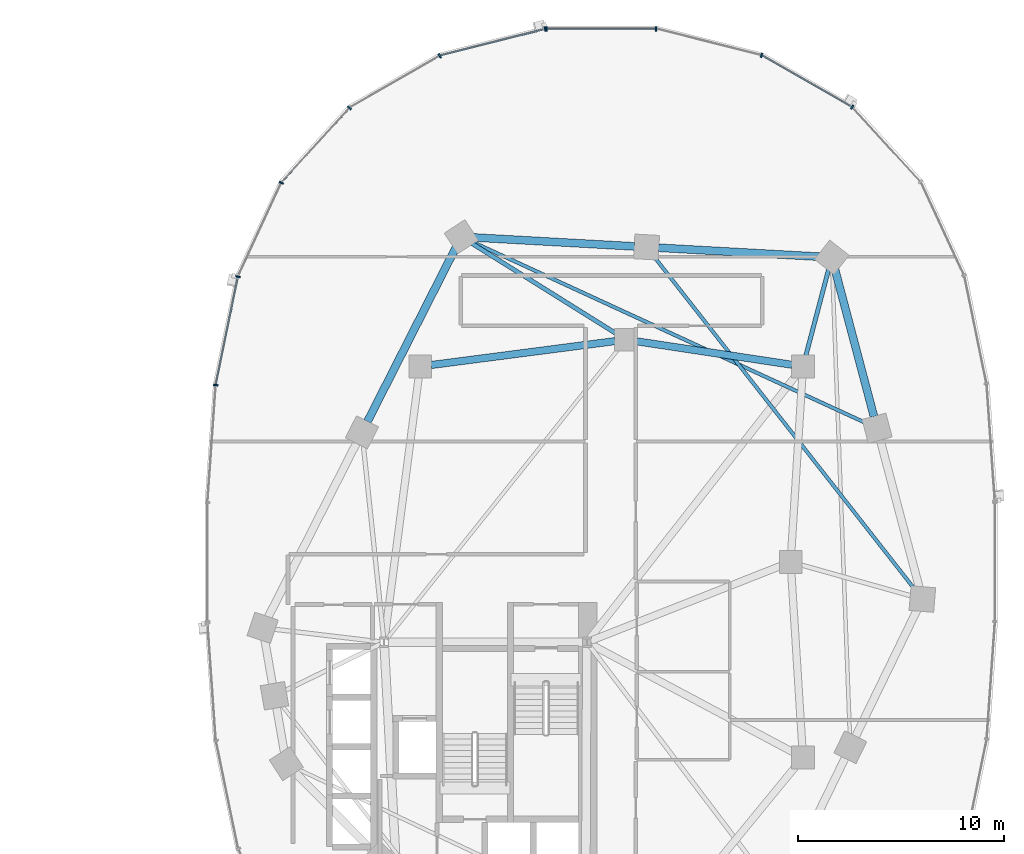
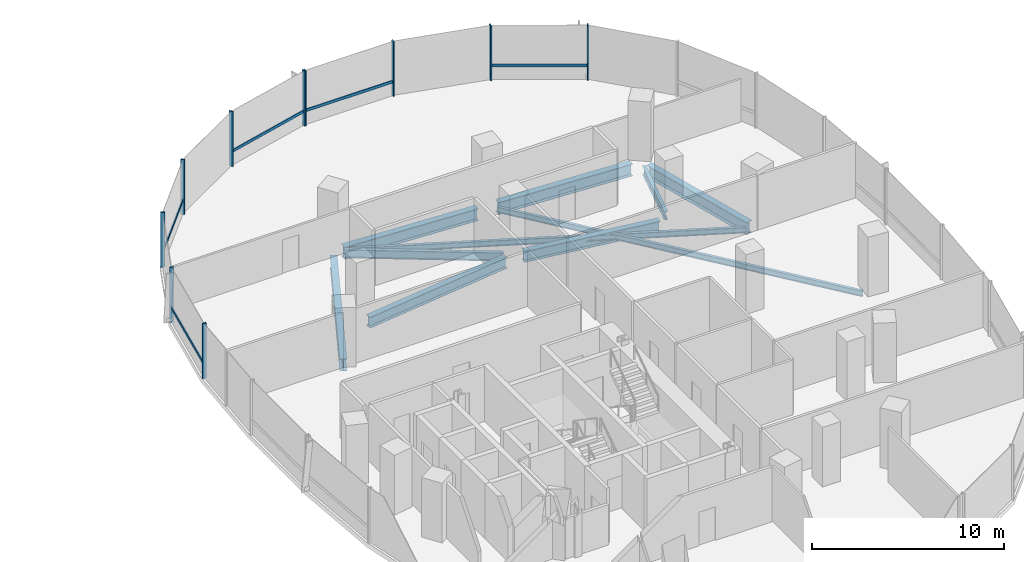
# One storey, part 7 of 21: 15 members, 10 beams, 2 elements without a shape of their own.
"""IFC4 building model written with IfcOpenShell, lengths in metres."""

from ifc_helpers import new_model, si_unit, direction, frame, origin, origin_2d, place, context, subcontext, project, spatial, rectangle, i_section, extrude, material, material_profile, profile_set, type_object, element, aggregate, save


model = new_model("IFC4")

# Units and contexts
model_context = context("Model", 3, precision=1e-05, world=origin(), true_north=direction((0.0, 1.0)))
body_context = subcontext(model_context, "Body", "Model", "MODEL_VIEW")
ifc_project = project(units=[si_unit("LENGTHUNIT", "METRE"), si_unit("AREAUNIT", "SQUARE_METRE"), si_unit("VOLUMEUNIT", "CUBIC_METRE"), si_unit("PLANEANGLEUNIT", "RADIAN"), si_unit("MASSUNIT", "GRAM", prefix="KILO"), si_unit("THERMODYNAMICTEMPERATUREUNIT", "KELVIN"), si_unit("POWERUNIT", "WATT")], contexts=[model_context])

# Site, building, storey
site_placement = place(None, origin())
site = spatial("IfcSite", under=ifc_project, at=site_placement, CompositionType="ELEMENT")
building_placement = place(site_placement, origin())
building = spatial("IfcBuilding", under=site, at=building_placement, Name="Cundina Bronze Exchange", CompositionType="ELEMENT")
storey_placement = place(building_placement, frame((0.0, 0.0, 62.0)))
storey = spatial("IfcBuildingStorey", under=building, at=storey_placement, Name="L15", CompositionType="ELEMENT", Elevation=62.0)

# Beams
ifc_material_1 = material(Name="Steel ASTM A992 Grade 50", Category="steel")
ifc_material_profile_1 = material_profile(ifc_material_1, i_section(OverallWidth=0.2099609375, OverallDepth=0.532958984375, WebThickness=0.01025390625, FlangeThickness=0.015625, FilletRadius=0.013916015625, at=origin_2d()), Name="W21X62", Category="steel")
ifc_profile_set_1 = profile_set([ifc_material_profile_1], Name="Steel ASTM A992 Grade 50")
beam_type_1 = type_object("IfcBeamType", Name="BM-FLR-W21B", PredefinedType="BEAM", material=ifc_profile_set_1)
beam_1_placement = place(storey_placement, frame((41.9375, 10.020263671875, -0.56640625), z_axis=(0.255373327887, 0.966842522546, 0.0), x_axis=(-0.966842522546, 0.255373327887, 0.0)))
element("IfcBeam", 1, at=beam_1_placement, inside=storey, type_object=beam_type_1, Name="L15 Leg E Chordal Floor Beam 10", PredefinedType="BEAM", context=body_context, shape_type="SweptSolid", body=[
    extrude(i_section(OverallWidth=0.2099609375, OverallDepth=0.532958984375, WebThickness=0.01025390625, FlangeThickness=0.015625, FilletRadius=0.013916015625, at=origin_2d()), origin(), (0.0, 0.0, 1.0), 4.355712890625),
])
beam_2_placement = place(storey_placement, frame((32.743896484375, 11.085205078125, -0.56640625), z_axis=(-0.848014812458, 0.529972525563, 0.0), x_axis=(-0.529972525563, -0.848014812458, 0.0)))
element("IfcBeam", 2, at=beam_2_placement, inside=storey, type_object=beam_type_1, Name="L15 Leg E Chordal Floor Beam 12", PredefinedType="BEAM", context=body_context, shape_type="SweptSolid", body=[
    extrude(i_section(OverallWidth=0.2099609375, OverallDepth=0.532958984375, WebThickness=0.01025390625, FlangeThickness=0.015625, FilletRadius=0.013916015625, at=origin_2d()), origin(), (0.0, 0.0, 1.0), 8.30810546875),
])
ifc_material_profile_2 = material_profile(ifc_material_1, i_section(OverallWidth=0.172119140625, OverallDepth=0.35791015625, WebThickness=0.0078125, FlangeThickness=0.01318359375, FilletRadius=0.010009765625, at=origin_2d()), Name="W14X38", Category="steel")
ifc_profile_set_2 = profile_set([ifc_material_profile_2], Name="Steel ASTM A992 Grade 50")
beam_type_2 = type_object("IfcBeamType", Name="BM-JST-W14", PredefinedType="JOIST", material=ifc_profile_set_2)
beam_3_placement = place(storey_placement, frame((47.2373046875, -1.337158203125, -0.47900390625), z_axis=(-0.616803089524, 0.787117493614, 0.0), x_axis=(-0.787117493614, -0.616803089524, 0.0)))
element("IfcBeam", 3, at=beam_3_placement, inside=storey, type_object=beam_type_2, Name="L15 Leg E Lobe Floor Joist 08-11", PredefinedType="JOIST", context=body_context, shape_type="SweptSolid", body=[
    extrude(i_section(OverallWidth=0.172119140625, OverallDepth=0.35791015625, WebThickness=0.0078125, FlangeThickness=0.01318359375, FilletRadius=0.010009765625, at=origin_2d()), origin(), (0.0, 0.0, 1.0), 20.548828125),
])
beam_4_placement = place(storey_placement, frame((44.865966796875, 6.745849609375, -0.47900390625), z_axis=(-0.908351511887, 0.418207521277, 0.0), x_axis=(-0.418207521277, -0.908351511887, 0.0)))
element("IfcBeam", 4, at=beam_4_placement, inside=storey, type_object=beam_type_2, Name="L15 Leg E Lobe Floor Joist 09-12", PredefinedType="JOIST", context=body_context, shape_type="SweptSolid", body=[
    extrude(i_section(OverallWidth=0.172119140625, OverallDepth=0.35791015625, WebThickness=0.0078125, FlangeThickness=0.01318359375, FilletRadius=0.010009765625, at=origin_2d()), origin(), (0.0, 0.0, 1.0), 21.062255859375),
])
ifc_material_profile_3 = material_profile(ifc_material_1, i_section(OverallWidth=0.35498046875, OverallDepth=0.695068359375, WebThickness=0.015380859375, FlangeThickness=0.02490234375, FilletRadius=0.01806640625, at=origin_2d()), Name="W27X146", Category="steel")
ifc_profile_set_3 = profile_set([ifc_material_profile_3], Name="Steel ASTM A992 Grade 50")
beam_type_3 = type_object("IfcBeamType", Name="BM-RING-W27", PredefinedType="USERDEFINED", material=ifc_profile_set_3)
beam_5_placement = place(storey_placement, frame((41.26806640625, 9.580322265625, -0.6474609375), z_axis=(-0.988767489563, 0.149461873341, 0.0), x_axis=(-0.149461873341, -0.988767489563, 0.0)))
element("IfcBeam", 5, at=beam_5_placement, inside=storey, type_object=beam_type_3, Name="L15 E Inner Structural Ring Girder 05", ObjectType="GIRDER", PredefinedType="USERDEFINED", context=body_context, shape_type="SweptSolid", body=[
    extrude(i_section(OverallWidth=0.35498046875, OverallDepth=0.695068359375, WebThickness=0.015380859375, FlangeThickness=0.02490234375, FilletRadius=0.01806640625, at=origin_2d()), origin(), (0.0, 0.0, 1.0), 7.621826171875),
])
beam_6_placement = place(storey_placement, frame((32.66650390625, 10.730712890625, -0.6474609375), z_axis=(-0.991654577907, -0.128923225666, 0.0), x_axis=(0.128923225666, -0.991654577907, 0.0)))
element("IfcBeam", 6, at=beam_6_placement, inside=storey, type_object=beam_type_3, Name="L15 E Inner Structural Ring Girder 06", ObjectType="GIRDER", PredefinedType="USERDEFINED", context=body_context, shape_type="SweptSolid", body=[
    extrude(i_section(OverallWidth=0.35498046875, OverallDepth=0.695068359375, WebThickness=0.015380859375, FlangeThickness=0.02490234375, FilletRadius=0.01806640625, at=origin_2d()), origin(), (0.0, 0.0, 1.0), 9.00830078125),
])
ifc_material_profile_4 = material_profile(ifc_material_1, i_section(OverallWidth=0.381103515625, OverallDepth=0.77294921875, WebThickness=0.0166015625, FlangeThickness=0.027099609375, FilletRadius=0.01904296875, at=origin_2d()), Name="W30X173", Category="steel")
ifc_profile_set_4 = profile_set([ifc_material_profile_4], Name="Steel ASTM A992 Grade 50")
beam_type_4 = type_object("IfcBeamType", Name="BM-RING-W30", PredefinedType="USERDEFINED", material=ifc_profile_set_4)
beam_7_placement = place(storey_placement, frame((45.249267578125, 7.068359375, -0.6865234375), z_axis=(-0.256208567826, 0.966621523541, 0.0), x_axis=(-0.966621523541, -0.256208567826, 0.0)))
element("IfcBeam", 7, at=beam_7_placement, inside=storey, type_object=beam_type_4, Name="L15 E Perimeter Ring Girder 09", ObjectType="GIRDER", PredefinedType="USERDEFINED", context=body_context, shape_type="SweptSolid", body=[
    extrude(i_section(OverallWidth=0.381103515625, OverallDepth=0.77294921875, WebThickness=0.0166015625, FlangeThickness=0.027099609375, FilletRadius=0.01904296875, at=origin_2d()), origin(), (0.0, 0.0, 1.0), 7.41064453125),
])
for number, where, z_axis, x_axis, name in (
    (8, (42.61279296875, 14.83251953125, -0.6865234375), (-0.998459969805, 0.055476920391, 0.0), (-0.055476920391, -0.998459969805, 0.0), "L15 E Perimeter Ring Girder 10"),
    (9, (33.61279296875, 15.33251953125, -0.6865234375), (-0.998459969805, 0.055476920391, 0.0), (-0.055476920391, -0.998459969805, 0.0), "L15 E Perimeter Ring Girder 11"),
):
    element("IfcBeam", number, at=place(storey_placement, frame(where, z_axis=z_axis, x_axis=x_axis)), inside=storey, type_object=beam_type_4, Name=name, ObjectType="GIRDER", PredefinedType="USERDEFINED", context=body_context, shape_type="SweptSolid", body=[
        extrude(i_section(OverallWidth=0.381103515625, OverallDepth=0.77294921875, WebThickness=0.0166015625, FlangeThickness=0.027099609375, FilletRadius=0.01904296875, at=origin_2d()), origin(), (0.0, 0.0, 1.0), 7.837646484375),
    ])
beam_8_placement = place(storey_placement, frame((24.93359375, 15.275634765625, -0.6865234375), z_axis=(-0.452819633606, -0.891602141889, 0.0), x_axis=(0.891602141889, -0.452819633606, 0.0)))
element("IfcBeam", 10, at=beam_8_placement, inside=storey, type_object=beam_type_4, Name="L15 E Perimeter Ring Girder 12", ObjectType="GIRDER", PredefinedType="USERDEFINED", context=body_context, shape_type="SweptSolid", body=[
    extrude(i_section(OverallWidth=0.381103515625, OverallDepth=0.77294921875, WebThickness=0.0166015625, FlangeThickness=0.027099609375, FilletRadius=0.01904296875, at=origin_2d()), origin(), (0.0, 0.0, 1.0), 9.47900390625),
])

# Curtain wall, members
ifc_material_2 = material(Name="Anodised Bronze Aluminium 6063-T6", Category="aluminium")
curtain_wall_type = type_object("IfcCurtainWallType", Name="CWS-TRD-LOW", PredefinedType="NOTDEFINED", material=ifc_material_2)
curtain_wall_1_placement = place(storey_placement, origin())
curtain_wall_1 = element("IfcCurtainWall", 11, at=curtain_wall_1_placement, inside=storey, type_object=curtain_wall_type, Name="L15 CW-02 Curtain Wall Run CWR-L15-E1", PredefinedType="NOTDEFINED")
ifc_material_profile_5 = material_profile(ifc_material_2, rectangle(XDim=0.074951171875, YDim=0.219970703125, at=origin_2d()), Name="AL75X220", Category="aluminium")
ifc_profile_set_5 = profile_set([ifc_material_profile_5], Name="Anodised Bronze Aluminium 6063-T6")
member_type_1 = type_object("IfcMemberType", Name="CWM-MUL-220", PredefinedType="MULLION", material=ifc_profile_set_5)
member_1_placement = place(storey_placement, frame((44.189697265625, 22.097412109375, 0.0), z_axis=(0.0, 0.0, 1.0), x_axis=(-0.867070701164, 0.498185105339, 0.0)))
member_1 = element("IfcMember", 12, at=member_1_placement, type_object=member_type_1, Name="CW-02 Mullion 5", PredefinedType="MULLION", context=body_context, shape_type="SweptSolid", body=[
    extrude(rectangle(XDim=0.074951171875, YDim=0.219970703125, at=origin_2d()), origin(), (0.0, 0.0, 1.0), 3.5),
])
member_2_placement = place(storey_placement, frame((39.78515625, 24.61669921875, 0.0), z_axis=(0.0, 0.0, 1.0), x_axis=(-0.969488149345, 0.245138182011, 0.0)))
member_2 = element("IfcMember", 13, at=member_2_placement, type_object=member_type_1, Name="CW-02 Mullion 6", PredefinedType="MULLION", context=body_context, shape_type="SweptSolid", body=[
    extrude(rectangle(XDim=0.074951171875, YDim=0.219970703125, at=origin_2d()), origin(), (0.0, 0.0, 1.0), 3.5),
])
member_3_placement = place(storey_placement, frame((34.654541015625, 25.905029296875, 0.0), z_axis=(0.0, 0.0, 1.0), x_axis=(-1.0, 0.0, 0.0)))
member_3 = element("IfcMember", 14, at=member_3_placement, type_object=member_type_1, Name="CW-02 Mullion 7", PredefinedType="MULLION", context=body_context, shape_type="SweptSolid", body=[
    extrude(rectangle(XDim=0.074951171875, YDim=0.219970703125, at=origin_2d()), origin(), (0.0, 0.0, 1.0), 3.5),
])
member_4_placement = place(storey_placement, frame((29.345458984375, 25.905029296875, 0.0), z_axis=(0.0, 0.0, 1.0), x_axis=(-1.0, 0.0, 0.0)))
member_4 = element("IfcMember", 15, at=member_4_placement, type_object=member_type_1, Name="CW-02 End Mullion", PredefinedType="MULLION", context=body_context, shape_type="SweptSolid", body=[
    extrude(rectangle(XDim=0.074951171875, YDim=0.219970703125, at=origin_2d()), origin(), (0.0, 0.0, 1.0), 3.5),
])

curtain_wall_2_placement = place(storey_placement, origin())
curtain_wall_2 = element("IfcCurtainWall", 16, at=curtain_wall_2_placement, inside=storey, type_object=curtain_wall_type, Name="L15 CW-02 Curtain Wall Run CWR-L15-E2", PredefinedType="NOTDEFINED")
member_5_placement = place(storey_placement, frame((29.27392578125, 25.89599609375, 0.0), z_axis=(0.0, 0.0, 1.0), x_axis=(-0.969488149345, -0.245138182011, 0.0)))
member_5 = element("IfcMember", 17, at=member_5_placement, type_object=member_type_1, Name="CW-02 Mullion 1", PredefinedType="MULLION", context=body_context, shape_type="SweptSolid", body=[
    extrude(rectangle(XDim=0.074951171875, YDim=0.219970703125, at=origin_2d()), origin(), (0.0, 0.0, 1.0), 3.5),
])
member_6_placement = place(storey_placement, frame((24.151123046875, 24.591064453125, 0.0), z_axis=(0.0, 0.0, 1.0), x_axis=(-0.867070701164, -0.498185105339, 0.0)))
member_6 = element("IfcMember", 18, at=member_6_placement, type_object=member_type_1, Name="CW-02 Mullion 2", PredefinedType="MULLION", context=body_context, shape_type="SweptSolid", body=[
    extrude(rectangle(XDim=0.074951171875, YDim=0.219970703125, at=origin_2d()), origin(), (0.0, 0.0, 1.0), 3.5),
])
member_7_placement = place(storey_placement, frame((19.760498046875, 22.0576171875, 0.0), z_axis=(0.0, 0.0, 1.0), x_axis=(-0.674302387584, -0.738455340626, 0.0)))
member_7 = element("IfcMember", 19, at=member_7_placement, type_object=member_type_1, Name="CW-02 Mullion 3", PredefinedType="MULLION", context=body_context, shape_type="SweptSolid", body=[
    extrude(rectangle(XDim=0.074951171875, YDim=0.219970703125, at=origin_2d()), origin(), (0.0, 0.0, 1.0), 3.5),
])
member_8_placement = place(storey_placement, frame((16.455810546875, 18.423583984375, 0.0), z_axis=(0.0, 0.0, 1.0), x_axis=(-0.42087749791, -0.907117485088, 0.0)))
member_8 = element("IfcMember", 20, at=member_8_placement, type_object=member_type_1, Name="CW-02 Mullion 4", PredefinedType="MULLION", context=body_context, shape_type="SweptSolid", body=[
    extrude(rectangle(XDim=0.074951171875, YDim=0.219970703125, at=origin_2d()), origin(), (0.0, 0.0, 1.0), 3.5),
])
member_9_placement = place(storey_placement, frame((14.348876953125, 13.861328125, 0.0), z_axis=(0.0, 0.0, 1.0), x_axis=(-0.201419845156, -0.979505000486, 0.0)))
member_9 = element("IfcMember", 21, at=member_9_placement, type_object=member_type_1, Name="CW-02 Mullion 5", PredefinedType="MULLION", context=body_context, shape_type="SweptSolid", body=[
    extrude(rectangle(XDim=0.074951171875, YDim=0.219970703125, at=origin_2d()), origin(), (0.0, 0.0, 1.0), 3.5),
])
member_10_placement = place(storey_placement, frame((13.27099609375, 8.591552734375, 0.0), z_axis=(0.0, 0.0, 1.0), x_axis=(-0.070278787473, -0.997527389113, 0.0)))
member_10 = element("IfcMember", 22, at=member_10_placement, type_object=member_type_1, Name="CW-02 Mullion 6", PredefinedType="MULLION", context=body_context, shape_type="SweptSolid", body=[
    extrude(rectangle(XDim=0.074951171875, YDim=0.219970703125, at=origin_2d()), origin(), (0.0, 0.0, 1.0), 3.5),
])

# Member
ifc_material_profile_6 = material_profile(ifc_material_2, rectangle(XDim=0.070068359375, YDim=0.179931640625, at=origin_2d()), Name="AL70X180", Category="aluminium")
ifc_profile_set_6 = profile_set([ifc_material_profile_6], Name="Anodised Bronze Aluminium 6063-T6")
member_type_2 = type_object("IfcMemberType", Name="CWM-TRN-180", PredefinedType="USERDEFINED", material=ifc_profile_set_6)
member_11_placement = place(storey_placement, frame((44.154052734375, 22.117919921875, 0.919921875), z_axis=(-0.867097475651, 0.498138502546, 0.0), x_axis=(-0.498138502546, -0.867097475651, 0.0)))
member_11 = element("IfcMember", 23, at=member_11_placement, type_object=member_type_2, Name="CW-02 Spandrel Transom 5", ObjectType="TRANSOM", PredefinedType="USERDEFINED", context=body_context, shape_type="SweptSolid", body=[
    extrude(rectangle(XDim=0.070068359375, YDim=0.179931640625, at=origin_2d()), origin(), (0.0, 0.0, 1.0), 5.00634765625),
])

member_12_placement = place(storey_placement, frame((34.61328125, 25.905029296875, 0.919921875), z_axis=(-1.0, 0.0, 0.0), x_axis=(0.0, -1.0, 0.0)))
member_12 = element("IfcMember", 24, at=member_12_placement, type_object=member_type_2, Name="CW-02 Spandrel Transom 7", ObjectType="TRANSOM", PredefinedType="USERDEFINED", context=body_context, shape_type="SweptSolid", body=[
    extrude(rectangle(XDim=0.070068359375, YDim=0.179931640625, at=origin_2d()), origin(), (0.0, 0.0, 1.0), 5.2265625),
])

aggregate(curtain_wall_1, [member_1, member_11, member_2, member_3, member_4, member_12])

member_13_placement = place(storey_placement, frame((29.23388671875, 25.885986328125, 0.919921875), z_axis=(-0.969483968866, -0.245154714644, 0.0), x_axis=(0.245154714644, -0.969483968866, 0.0)))
member_13 = element("IfcMember", 25, at=member_13_placement, type_object=member_type_2, Name="CW-02 Spandrel Transom 1", ObjectType="TRANSOM", PredefinedType="USERDEFINED", context=body_context, shape_type="SweptSolid", body=[
    extrude(rectangle(XDim=0.070068359375, YDim=0.179931640625, at=origin_2d()), origin(), (0.0, 0.0, 1.0), 5.21826171875),
])

member_14_placement = place(storey_placement, frame((19.73291015625, 22.027099609375, 0.919921875), z_axis=(-0.674302794847, -0.738454968743, 0.0), x_axis=(0.738454968743, -0.674302794847, 0.0)))
member_14 = element("IfcMember", 26, at=member_14_placement, type_object=member_type_2, Name="CW-02 Spandrel Transom 3", ObjectType="TRANSOM", PredefinedType="USERDEFINED", context=body_context, shape_type="SweptSolid", body=[
    extrude(rectangle(XDim=0.070068359375, YDim=0.179931640625, at=origin_2d()), origin(), (0.0, 0.0, 1.0), 4.848388671875),
])

member_15_placement = place(storey_placement, frame((14.340576171875, 13.821044921875, 0.919921875), z_axis=(-0.201427712708, -0.979503382615, 0.0), x_axis=(0.979503382615, -0.201427712708, 0.0)))
member_15 = element("IfcMember", 27, at=member_15_placement, type_object=member_type_2, Name="CW-02 Spandrel Transom 5", ObjectType="TRANSOM", PredefinedType="USERDEFINED", context=body_context, shape_type="SweptSolid", body=[
    extrude(rectangle(XDim=0.070068359375, YDim=0.179931640625, at=origin_2d()), origin(), (0.0, 0.0, 1.0), 5.291748046875),
])

aggregate(curtain_wall_2, [member_5, member_13, member_6, member_7, member_14, member_8, member_9, member_15, member_10])

save(model, "model.ifc")
